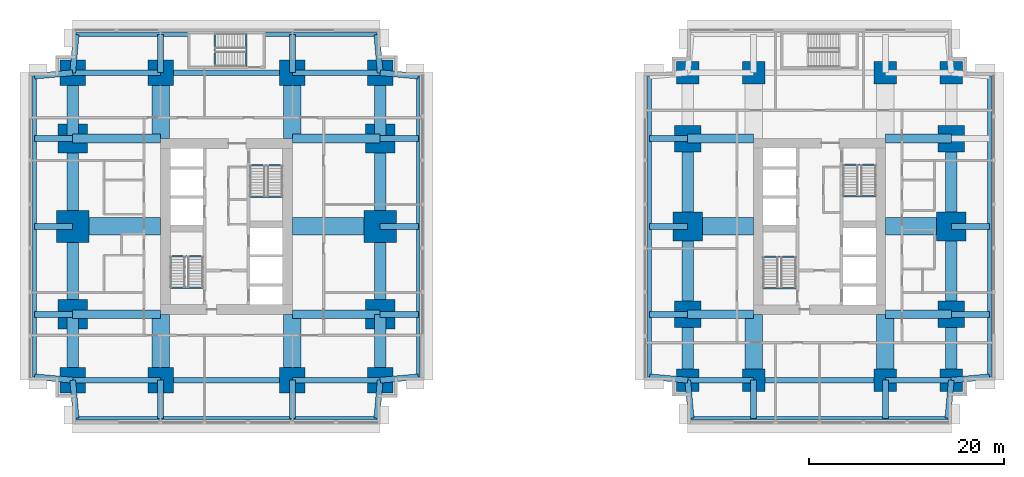
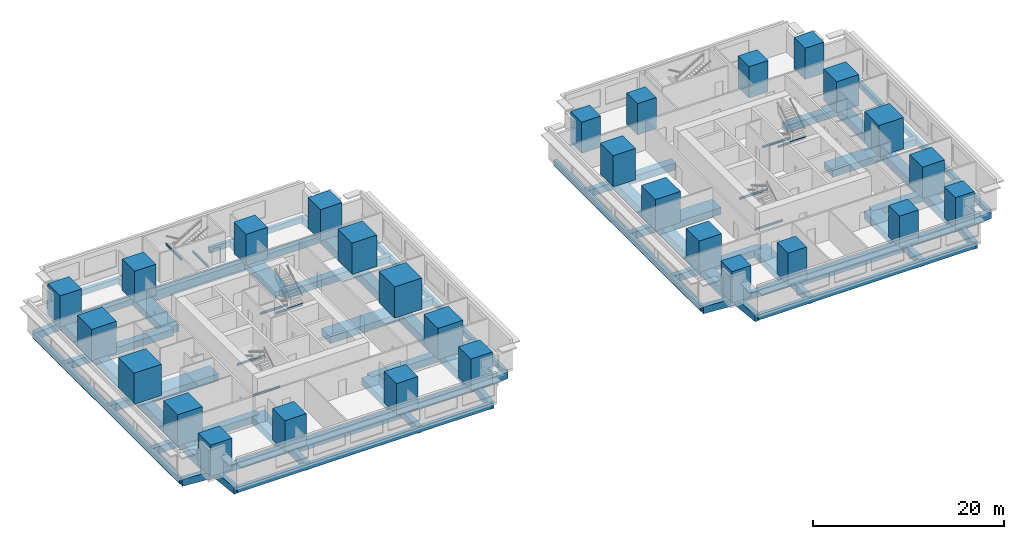
# One storey, part 1 of 11: 88 beams, 28 columns.
"""IFC4 building model written with IfcOpenShell, lengths in metres."""

import ifcopenshell
import ifcopenshell.guid

model = None  # the IFC model being written
_history = None  # IfcOwnerHistory: only IFC2X3 demands one
_inside = {}  # id of a spatial element -> (the spatial element, [elements in it])
_under = {}  # id of a project, library or spatial element -> (it, [spatial elements below it])
_declared = {}  # id of a project -> (the project, [libraries it declares])
_typed = {}  # id of a type object -> (the type object, [elements of that type])
_made_of = {}  # id of a material, layer set ... -> (it, [elements and type objects made of it])


def new_model(schema):
    """Start an empty IFC model of exactly this schema.

    Asked for "IFC4X3", IfcOpenShell would pick the latest addendum, in which some entities
    have other attributes; the version numbers below select the first issue.
    IFC2X3 requires an IfcOwnerHistory on every rooted entity: one is made here for all.
    """
    global model, _history
    if schema == "IFC4X3":
        model = ifcopenshell.file(schema_version=(4, 3, 0, 0))
    else:
        model = ifcopenshell.file(schema=schema)
    _inside.clear()
    _under.clear()
    _declared.clear()
    _typed.clear()
    _made_of.clear()
    _history = None
    if model.schema == "IFC2X3":
        org = make("IfcOrganization", Name="unknown")
        user = make(
            "IfcPersonAndOrganization",
            ThePerson=make("IfcPerson", FamilyName="unknown"),
            TheOrganization=org,
        )
        app = make(
            "IfcApplication",
            ApplicationDeveloper=org,
            Version="unknown",
            ApplicationFullName="unknown",
            ApplicationIdentifier="unknown",
        )
        _history = make(
            "IfcOwnerHistory",
            OwningUser=user,
            OwningApplication=app,
            ChangeAction="ADDED",
            CreationDate=0,
        )
    return model


def make(cls, **values):
    """One entity of the class cls with the attributes given. An attribute that is None is left unset."""
    return model.create_entity(
        cls, **{name: value for name, value in values.items() if value is not None}
    )


def rooted(cls, **values):
    """An entity with a GlobalId (a new one), such as an element, a storey or a relation."""
    return make(cls, GlobalId=ifcopenshell.guid.new(), OwnerHistory=_history, **values)


def si_unit(unit_type, name, prefix=None):
    """IfcSIUnit, for example si_unit("LENGTHUNIT", "METRE", prefix="MILLI")."""
    return make("IfcSIUnit", UnitType=unit_type, Prefix=prefix, Name=name)


def assignment(units):
    """IfcUnitAssignment: the units of a project."""
    return None if units is None else make("IfcUnitAssignment", Units=units)


def point(xyz):
    """IfcCartesianPoint."""
    return None if xyz is None else make("IfcCartesianPoint", Coordinates=xyz)


def direction(xyz):
    """IfcDirection."""
    return None if xyz is None else make("IfcDirection", DirectionRatios=xyz)


def frame(location, z_axis=None, x_axis=None):
    """IfcAxis2Placement3D, a coordinate frame: its origin and axes. An axis left out is left unset."""
    return make(
        "IfcAxis2Placement3D",
        Location=point(location),
        Axis=direction(z_axis),
        RefDirection=direction(x_axis),
    )


def frame_2d(location, x_axis=None):
    """IfcAxis2Placement2D, a coordinate frame in the plane: its origin and x axis."""
    return make(
        "IfcAxis2Placement2D", Location=point(location), RefDirection=direction(x_axis)
    )


def origin():
    """The frame at (0, 0, 0) with its axes left unset."""
    return frame((0.0, 0.0, 0.0))


def origin_2d():
    """The frame at (0, 0) in the plane with its x axis left unset."""
    return frame_2d((0.0, 0.0))


def place(relative_to, where):
    """IfcLocalPlacement: puts the frame where relative to a parent placement (None: the world)."""
    return make(
        "IfcLocalPlacement", PlacementRelTo=relative_to, RelativePlacement=where
    )


def context(
    kind, dimensions, precision=None, world=None, true_north=None, identifier=None
):
    """IfcGeometricRepresentationContext, for example the 3D "Model" context."""
    return make(
        "IfcGeometricRepresentationContext",
        ContextIdentifier=identifier,
        ContextType=kind,
        CoordinateSpaceDimension=dimensions,
        Precision=precision,
        WorldCoordinateSystem=world,
        TrueNorth=true_north,
    )


def subcontext(parent, identifier, kind, view, scale=None):
    """IfcGeometricRepresentationSubContext, for example "Body" below "Model"."""
    return make(
        "IfcGeometricRepresentationSubContext",
        ContextIdentifier=identifier,
        ContextType=kind,
        ParentContext=parent,
        TargetScale=scale,
        TargetView=view,
    )


def project(units=None, contexts=None):
    """IfcProject with its units and contexts."""
    return rooted(
        "IfcProject",
        Name="project",
        RepresentationContexts=contexts,
        UnitsInContext=assignment(units),
    )


def spatial(cls, under=None, at=None, **own):
    """A site, building, storey or space (cls), placed at a placement, below another one or the project."""
    s = rooted(cls, ObjectPlacement=at, **own)
    if under is not None:
        _under.setdefault(under.id(), (under, []))[1].append(s)
    return s


def profile(cls, at=None, kind="AREA", **sizes):
    """A parametric profile (cls). Its sizes go by their IFC names, for example OverallWidth=200.0."""
    return make(cls, ProfileType=kind, Position=at, **sizes)


def rectangle(**sizes):
    """IfcRectangleProfileDef."""
    return profile("IfcRectangleProfileDef", **sizes)


def i_section(**sizes):
    """IfcIShapeProfileDef."""
    return profile("IfcIShapeProfileDef", **sizes)


def extrude(swept, where, along, depth):
    """IfcExtrudedAreaSolid: the profile swept, set in the frame where, extruded along a direction by depth."""
    return make(
        "IfcExtrudedAreaSolid",
        SweptArea=swept,
        Position=where,
        ExtrudedDirection=direction(along),
        Depth=depth,
    )


def shape(context_of_items, identifier, shape_type, items):
    """IfcShapeRepresentation: the items that make up one representation, for example the "Body"."""
    return make(
        "IfcShapeRepresentation",
        ContextOfItems=context_of_items,
        RepresentationIdentifier=identifier,
        RepresentationType=shape_type,
        Items=items,
    )


def material(Name=None, Category=None):
    """IfcMaterial."""
    return make("IfcMaterial", Name=Name, Category=Category)


def material_profile(
    of_material, cross_section, Name=None, Category=None, Priority=None
):
    """IfcMaterialProfile: a cross section and its material."""
    return make(
        "IfcMaterialProfile",
        Name=Name,
        Material=of_material,
        Profile=cross_section,
        Priority=Priority,
        Category=Category,
    )


def profile_set(profiles, Name=None, composite=None):
    """IfcMaterialProfileSet."""
    return make(
        "IfcMaterialProfileSet",
        Name=Name,
        MaterialProfiles=profiles,
        CompositeProfile=composite,
    )


def made_of(thing, what):
    """Note that an element or type object is made of a material, layer set ...; save() writes the relation."""
    if what is not None:
        _made_of.setdefault(what.id(), (what, []))[1].append(thing)
    return thing


def type_object(cls, material=None, **own):
    """A type object (cls), such as IfcWallType, which elements share."""
    return made_of(rooted(cls, **own), material)


def element(
    cls,
    number,
    at=None,
    inside=None,
    cuts=None,
    type_object=None,
    material=None,
    context=None,
    identifier="Body",
    shape_type=None,
    held_by="IfcProductDefinitionShape",
    body=None,
    shapes=None,
    **own,
):
    """One element of the class cls, such as IfcWall. Its Tag is "e" and its number.

    at: its placement. inside: the storey or other place that contains it. cuts: it is an
    opening in that element (IfcRelVoidsElement). A single representation is given by context,
    identifier, shape_type and body (its items); several are given by shapes. held_by: the class
    of the entity that holds the representations. save() writes the other relations.
    """
    e = rooted(cls, Tag="e%d" % number, ObjectPlacement=at, **own)
    if body is not None:
        shapes = [shape(context, identifier, shape_type, body)]
    if shapes is not None:
        e.Representation = make(held_by, Representations=shapes)
    if inside is not None:
        _inside.setdefault(inside.id(), (inside, []))[1].append(e)
    if cuts is not None:
        rooted(
            "IfcRelVoidsElement", RelatingBuildingElement=cuts, RelatedOpeningElement=e
        )
    if type_object is not None:
        _typed.setdefault(type_object.id(), (type_object, []))[1].append(e)
    return made_of(e, material)


def aggregate(whole, parts):
    """IfcRelAggregates: a whole, such as a stair, and the parts it consists of."""
    return rooted("IfcRelAggregates", RelatingObject=whole, RelatedObjects=parts)


def save(model, path):
    """Write the relations noted so far, then the file.

    IfcRelAggregates (storeys below a building ...), IfcRelContainedInSpatialStructure (elements
    in a storey), IfcRelDefinesByType, IfcRelAssociatesMaterial and IfcRelDeclares: one each for
    every whole, place, type object, material and project.
    """
    for whole, parts in _under.values():
        aggregate(whole, parts)
    for where, things in _inside.values():
        rooted(
            "IfcRelContainedInSpatialStructure",
            RelatedElements=things,
            RelatingStructure=where,
        )
    for kind, things in _typed.values():
        rooted("IfcRelDefinesByType", RelatedObjects=things, RelatingType=kind)
    for what, things in _made_of.values():
        rooted("IfcRelAssociatesMaterial", RelatedObjects=things, RelatingMaterial=what)
    for by, libraries in _declared.values():
        rooted("IfcRelDeclares", RelatingContext=by, RelatedDefinitions=libraries)
    model.write(path)


model = new_model("IFC4")

# Units and contexts
model_context = context("Model", 3, precision=1e-05, world=origin(), true_north=direction((0.0, 1.0)))
body_context = subcontext(model_context, "Body", "Model", "MODEL_VIEW")
ifc_project = project(units=[si_unit("LENGTHUNIT", "METRE"), si_unit("AREAUNIT", "SQUARE_METRE"), si_unit("VOLUMEUNIT", "CUBIC_METRE"), si_unit("PLANEANGLEUNIT", "RADIAN"), si_unit("MASSUNIT", "GRAM", prefix="KILO")], contexts=[model_context])

# Site, building, storey
site_placement = place(None, origin())
site = spatial("IfcSite", under=ifc_project, at=site_placement, CompositionType="ELEMENT")
building_placement = place(site_placement, origin())
building = spatial("IfcBuilding", under=site, at=building_placement, Name="Namib Vertical Campus", CompositionType="ELEMENT")
storey_placement = place(building_placement, frame((0.0, 0.0, 37.0)))
storey = spatial("IfcBuildingStorey", under=building, at=storey_placement, Name="L08", CompositionType="ELEMENT", Elevation=37.0)

# Columns
ifc_material_1 = material(Name="Concrete C60/75", Category="concrete")
ifc_material_profile_1 = material_profile(ifc_material_1, rectangle(XDim=2.300048828125, YDim=2.300048828125, at=origin_2d()))
ifc_profile_set_1 = profile_set([ifc_material_profile_1], Name="Concrete C60/75")
column_type_1 = type_object("IfcColumnType", Name="Column RC 2300x2300", PredefinedType="COLUMN", material=ifc_profile_set_1)
for number, where, z_axis, x_axis, name in (
    (1, (67.5, 4.5, 0.0), (0.0, 0.0, 1.0), (1.0, 0.0, 0.0), "Column C230 L08"),
    (2, (74.25, 4.5, 0.0), (0.0, 0.0, 1.0), (1.0, 0.0, 0.0), "Column C230 L08"),
    (3, (87.75, 4.5, 0.0), (0.0, 0.0, 1.0), (1.0, 0.0, 0.0), "Column C230 L08"),
    (4, (94.5, 4.5, 0.0), (0.0, 0.0, 1.0), (1.0, 0.0, 0.0), "Column C230 L08"),
    (5, (67.5, 36.0, 0.0), (0.0, 0.0, 1.0), (1.0, 0.0, 0.0), "Column C230 L08"),
    (6, (74.25, 36.0, 0.0), (0.0, 0.0, 1.0), (1.0, 0.0, 0.0), "Column C230 L08"),
    (7, (87.75, 36.0, 0.0), (0.0, 0.0, 1.0), (1.0, 0.0, 0.0), "Column C230 L08"),
    (8, (94.5, 36.0, 0.0), (0.0, 0.0, 1.0), (1.0, 0.0, 0.0), "Column C230 L08"),
):
    element("IfcColumn", number, at=place(storey_placement, frame(where, z_axis=z_axis, x_axis=x_axis)), inside=storey, type_object=column_type_1, Name=name, PredefinedType="COLUMN", context=body_context, shape_type="SweptSolid", body=[
        extrude(rectangle(XDim=2.300048828125, YDim=2.300048828125, at=origin_2d()), origin(), (0.0, 0.0, 1.0), 4.0),
    ])
ifc_material_2 = material(Name="Concrete C60/75", Category="concrete")
ifc_material_profile_2 = material_profile(ifc_material_2, rectangle(XDim=2.60009765625, YDim=2.60009765625, at=origin_2d()))
ifc_profile_set_2 = profile_set([ifc_material_profile_2], Name="Concrete C60/75")
column_type_2 = type_object("IfcColumnType", Name="Column RC 2600x2600", PredefinedType="COLUMN", material=ifc_profile_set_2)
for number, where, z_axis, x_axis, name in (
    (9, (4.5, 4.5, 0.0), (0.0, 0.0, 1.0), (1.0, 0.0, 0.0), "Column C260 L08"),
    (10, (13.5, 4.5, 0.0), (0.0, 0.0, 1.0), (1.0, 0.0, 0.0), "Column C260 L08"),
    (11, (27.0, 4.5, 0.0), (0.0, 0.0, 1.0), (1.0, 0.0, 0.0), "Column C260 L08"),
    (12, (36.0, 4.5, 0.0), (0.0, 0.0, 1.0), (1.0, 0.0, 0.0), "Column C260 L08"),
    (13, (4.5, 36.0, 0.0), (0.0, 0.0, 1.0), (1.0, 0.0, 0.0), "Column C260 L08"),
    (14, (13.5, 36.0, 0.0), (0.0, 0.0, 1.0), (1.0, 0.0, 0.0), "Column C260 L08"),
    (15, (27.0, 36.0, 0.0), (0.0, 0.0, 1.0), (1.0, 0.0, 0.0), "Column C260 L08"),
    (16, (36.0, 36.0, 0.0), (0.0, 0.0, 1.0), (1.0, 0.0, 0.0), "Column C260 L08"),
):
    element("IfcColumn", number, at=place(storey_placement, frame(where, z_axis=z_axis, x_axis=x_axis)), inside=storey, type_object=column_type_2, Name=name, PredefinedType="COLUMN", context=body_context, shape_type="SweptSolid", body=[
        extrude(rectangle(XDim=2.60009765625, YDim=2.60009765625, at=origin_2d()), origin(), (0.0, 0.0, 1.0), 4.0),
    ])
ifc_material_3 = material(Name="Concrete C60/75", Category="concrete")
ifc_material_profile_3 = material_profile(ifc_material_3, rectangle(XDim=2.699951171875, YDim=2.699951171875, at=origin_2d()))
ifc_profile_set_3 = profile_set([ifc_material_profile_3], Name="Concrete C60/75")
column_type_3 = type_object("IfcColumnType", Name="Column RC 2700x2700", PredefinedType="COLUMN", material=ifc_profile_set_3)
for number, where, z_axis, x_axis, name in (
    (17, (67.5, 11.25, 0.0), (0.0, 0.0, 1.0), (1.0, 0.0, 0.0), "Column C270 L08"),
    (18, (94.5, 11.25, 0.0), (0.0, 0.0, 1.0), (1.0, 0.0, 0.0), "Column C270 L08"),
    (19, (67.5, 29.25, 0.0), (0.0, 0.0, 1.0), (1.0, 0.0, 0.0), "Column C270 L08"),
    (20, (94.5, 29.25, 0.0), (0.0, 0.0, 1.0), (1.0, 0.0, 0.0), "Column C270 L08"),
):
    element("IfcColumn", number, at=place(storey_placement, frame(where, z_axis=z_axis, x_axis=x_axis)), inside=storey, type_object=column_type_3, Name=name, PredefinedType="COLUMN", context=body_context, shape_type="SweptSolid", body=[
        extrude(rectangle(XDim=2.699951171875, YDim=2.699951171875, at=origin_2d()), origin(), (0.0, 0.0, 1.0), 4.0),
    ])
ifc_material_4 = material(Name="Concrete C60/75", Category="concrete")
ifc_material_profile_4 = material_profile(ifc_material_4, rectangle(XDim=3.0, YDim=3.0, at=origin_2d()))
ifc_profile_set_4 = profile_set([ifc_material_profile_4], Name="Concrete C60/75")
column_type_4 = type_object("IfcColumnType", Name="Column RC 3000x3000", PredefinedType="COLUMN", material=ifc_profile_set_4)
for number, where, z_axis, x_axis, name in (
    (21, (4.5, 11.25, 0.0), (0.0, 0.0, 1.0), (1.0, 0.0, 0.0), "Column C300 L08"),
    (22, (36.0, 11.25, 0.0), (0.0, 0.0, 1.0), (1.0, 0.0, 0.0), "Column C300 L08"),
    (23, (4.5, 29.25, 0.0), (0.0, 0.0, 1.0), (1.0, 0.0, 0.0), "Column C300 L08"),
    (24, (36.0, 29.25, 0.0), (0.0, 0.0, 1.0), (1.0, 0.0, 0.0), "Column C300 L08"),
    (25, (67.5, 20.25, 0.0), (0.0, 0.0, 1.0), (1.0, 0.0, 0.0), "Column C300 L08"),
    (26, (94.5, 20.25, 0.0), (0.0, 0.0, 1.0), (1.0, 0.0, 0.0), "Column C300 L08"),
):
    element("IfcColumn", number, at=place(storey_placement, frame(where, z_axis=z_axis, x_axis=x_axis)), inside=storey, type_object=column_type_4, Name=name, PredefinedType="COLUMN", context=body_context, shape_type="SweptSolid", body=[
        extrude(rectangle(XDim=3.0, YDim=3.0, at=origin_2d()), origin(), (0.0, 0.0, 1.0), 4.0),
    ])
ifc_material_5 = material(Name="Concrete C60/75", Category="concrete")
ifc_material_profile_5 = material_profile(ifc_material_5, rectangle(XDim=3.300048828125, YDim=3.300048828125, at=origin_2d()))
ifc_profile_set_5 = profile_set([ifc_material_profile_5], Name="Concrete C60/75")
column_type_5 = type_object("IfcColumnType", Name="Column RC 3300x3300", PredefinedType="COLUMN", material=ifc_profile_set_5)
for number, where, z_axis, x_axis, name in (
    (27, (4.5, 20.25, 0.0), (0.0, 0.0, 1.0), (1.0, 0.0, 0.0), "Column C330 L08"),
    (28, (36.0, 20.25, 0.0), (0.0, 0.0, 1.0), (1.0, 0.0, 0.0), "Column C330 L08"),
):
    element("IfcColumn", number, at=place(storey_placement, frame(where, z_axis=z_axis, x_axis=x_axis)), inside=storey, type_object=column_type_5, Name=name, PredefinedType="COLUMN", context=body_context, shape_type="SweptSolid", body=[
        extrude(rectangle(XDim=3.300048828125, YDim=3.300048828125, at=origin_2d()), origin(), (0.0, 0.0, 1.0), 4.0),
    ])

# Beams
ifc_material_6 = material(Name="Concrete C40/50", Category="concrete")
ifc_material_profile_6 = material_profile(ifc_material_6, rectangle(XDim=0.60009765625, YDim=0.89990234375, at=origin_2d()))
ifc_profile_set_6 = profile_set([ifc_material_profile_6], Name="Concrete C40/50")
beam_type_1 = type_object("IfcBeamType", Name="Cantilever girder RC 600x900", PredefinedType="BEAM", material=ifc_profile_set_6)
beam_1_placement = place(storey_placement, frame((4.5, 4.5, -0.699951171875), z_axis=(0.089411326146, -0.995994786511, 0.0), x_axis=(0.995994786511, 0.089411326146, 0.0)))
element("IfcBeam", 29, at=beam_1_placement, inside=storey, type_object=beam_type_1, Name="Beam B3 L08", PredefinedType="BEAM", context=body_context, shape_type="SweptSolid", body=[
    extrude(rectangle(XDim=0.60009765625, YDim=0.89990234375, at=origin_2d()), origin(), (0.0, 0.0, 1.0), 3.91552734375),
])
for number, where, z_axis, x_axis, name in (
    (30, (13.5, 4.5, -0.699951171875), (0.0, -1.0, 0.0), (1.0, 0.0, 0.0), "Beam B3 L08"),
    (31, (27.0, 4.5, -0.699951171875), (0.0, -1.0, 0.0), (1.0, 0.0, 0.0), "Beam B3 L08"),
):
    element("IfcBeam", number, at=place(storey_placement, frame(where, z_axis=z_axis, x_axis=x_axis)), inside=storey, type_object=beam_type_1, Name=name, PredefinedType="BEAM", context=body_context, shape_type="SweptSolid", body=[
        extrude(rectangle(XDim=0.60009765625, YDim=0.89990234375, at=origin_2d()), origin(), (0.0, 0.0, 1.0), 3.89990234375),
    ])
for number, where, z_axis, x_axis, name in (
    (32, (36.0, 4.5, -0.699951171875), (-0.089411326146, -0.995994786511, 0.0), (0.995994786511, -0.089411326146, 0.0), "Beam B3 L08"),
    (33, (4.5, 36.0, -0.699951171875), (0.089411326146, 0.995994786511, 0.0), (-0.995994786511, 0.089411326146, 0.0), "Beam B3 L08"),
):
    element("IfcBeam", number, at=place(storey_placement, frame(where, z_axis=z_axis, x_axis=x_axis)), inside=storey, type_object=beam_type_1, Name=name, PredefinedType="BEAM", context=body_context, shape_type="SweptSolid", body=[
        extrude(rectangle(XDim=0.60009765625, YDim=0.89990234375, at=origin_2d()), origin(), (0.0, 0.0, 1.0), 3.91552734375),
    ])
for number, where, z_axis, x_axis, name in (
    (34, (13.5, 36.0, -0.699951171875), (0.0, 1.0, 0.0), (-1.0, 0.0, 0.0), "Beam B3 L08"),
    (35, (27.0, 36.0, -0.699951171875), (0.0, 1.0, 0.0), (-1.0, 0.0, 0.0), "Beam B3 L08"),
):
    element("IfcBeam", number, at=place(storey_placement, frame(where, z_axis=z_axis, x_axis=x_axis)), inside=storey, type_object=beam_type_1, Name=name, PredefinedType="BEAM", context=body_context, shape_type="SweptSolid", body=[
        extrude(rectangle(XDim=0.60009765625, YDim=0.89990234375, at=origin_2d()), origin(), (0.0, 0.0, 1.0), 3.89990234375),
    ])
for number, where, z_axis, x_axis, name in (
    (36, (36.0, 36.0, -0.699951171875), (-0.089411326146, 0.995994786511, 0.0), (-0.995994786511, -0.089411326146, 0.0), "Beam B3 L08"),
    (37, (4.5, 4.5, -0.699951171875), (-0.995994786511, 0.089411326146, 0.0), (-0.089411326146, -0.995994786511, 0.0), "Beam B3 L08"),
):
    element("IfcBeam", number, at=place(storey_placement, frame(where, z_axis=z_axis, x_axis=x_axis)), inside=storey, type_object=beam_type_1, Name=name, PredefinedType="BEAM", context=body_context, shape_type="SweptSolid", body=[
        extrude(rectangle(XDim=0.60009765625, YDim=0.89990234375, at=origin_2d()), origin(), (0.0, 0.0, 1.0), 3.91552734375),
    ])
for number, where, z_axis, x_axis, name in (
    (38, (4.5, 11.25, -0.699951171875), (-1.0, 0.0, 0.0), (0.0, -1.0, 0.0), "Beam B3 L08"),
    (39, (4.5, 20.25, -0.699951171875), (-1.0, 0.0, 0.0), (0.0, -1.0, 0.0), "Beam B3 L08"),
    (40, (4.5, 29.25, -0.699951171875), (-1.0, 0.0, 0.0), (0.0, -1.0, 0.0), "Beam B3 L08"),
):
    element("IfcBeam", number, at=place(storey_placement, frame(where, z_axis=z_axis, x_axis=x_axis)), inside=storey, type_object=beam_type_1, Name=name, PredefinedType="BEAM", context=body_context, shape_type="SweptSolid", body=[
        extrude(rectangle(XDim=0.60009765625, YDim=0.89990234375, at=origin_2d()), origin(), (0.0, 0.0, 1.0), 3.89990234375),
    ])
for number, where, z_axis, x_axis, name in (
    (41, (4.5, 36.0, -0.699951171875), (-0.995994786511, -0.089411326146, 0.0), (0.089411326146, -0.995994786511, 0.0), "Beam B3 L08"),
    (42, (36.0, 4.5, -0.699951171875), (0.995994786511, 0.089411326146, 0.0), (-0.089411326146, 0.995994786511, 0.0), "Beam B3 L08"),
):
    element("IfcBeam", number, at=place(storey_placement, frame(where, z_axis=z_axis, x_axis=x_axis)), inside=storey, type_object=beam_type_1, Name=name, PredefinedType="BEAM", context=body_context, shape_type="SweptSolid", body=[
        extrude(rectangle(XDim=0.60009765625, YDim=0.89990234375, at=origin_2d()), origin(), (0.0, 0.0, 1.0), 3.91552734375),
    ])
for number, where, z_axis, x_axis, name in (
    (43, (36.0, 11.25, -0.699951171875), (1.0, 0.0, 0.0), (0.0, 1.0, 0.0), "Beam B3 L08"),
    (44, (36.0, 20.25, -0.699951171875), (1.0, 0.0, 0.0), (0.0, 1.0, 0.0), "Beam B3 L08"),
    (45, (36.0, 29.25, -0.699951171875), (1.0, 0.0, 0.0), (0.0, 1.0, 0.0), "Beam B3 L08"),
):
    element("IfcBeam", number, at=place(storey_placement, frame(where, z_axis=z_axis, x_axis=x_axis)), inside=storey, type_object=beam_type_1, Name=name, PredefinedType="BEAM", context=body_context, shape_type="SweptSolid", body=[
        extrude(rectangle(XDim=0.60009765625, YDim=0.89990234375, at=origin_2d()), origin(), (0.0, 0.0, 1.0), 3.89990234375),
    ])
for number, where, z_axis, x_axis, name in (
    (46, (36.0, 36.0, -0.699951171875), (0.995994786511, -0.089411326146, 0.0), (0.089411326146, 0.995994786511, 0.0), "Beam B3 L08"),
    (47, (67.5, 4.5, -0.699951171875), (0.089411326146, -0.995994786511, 0.0), (0.995994786511, 0.089411326146, 0.0), "Beam B3 L08"),
):
    element("IfcBeam", number, at=place(storey_placement, frame(where, z_axis=z_axis, x_axis=x_axis)), inside=storey, type_object=beam_type_1, Name=name, PredefinedType="BEAM", context=body_context, shape_type="SweptSolid", body=[
        extrude(rectangle(XDim=0.60009765625, YDim=0.89990234375, at=origin_2d()), origin(), (0.0, 0.0, 1.0), 3.91552734375),
    ])
for number, where, z_axis, x_axis, name in (
    (48, (74.25, 4.5, -0.699951171875), (0.0, -1.0, 0.0), (1.0, 0.0, 0.0), "Beam B3 L08"),
    (49, (87.75, 4.5, -0.699951171875), (0.0, -1.0, 0.0), (1.0, 0.0, 0.0), "Beam B3 L08"),
):
    element("IfcBeam", number, at=place(storey_placement, frame(where, z_axis=z_axis, x_axis=x_axis)), inside=storey, type_object=beam_type_1, Name=name, PredefinedType="BEAM", context=body_context, shape_type="SweptSolid", body=[
        extrude(rectangle(XDim=0.60009765625, YDim=0.89990234375, at=origin_2d()), origin(), (0.0, 0.0, 1.0), 3.89990234375),
    ])
for number, where, z_axis, x_axis, name in (
    (50, (94.5, 4.5, -0.699951171875), (-0.089411326146, -0.995994786511, 0.0), (0.995994786511, -0.089411326146, 0.0), "Beam B3 L08"),
    (51, (67.5, 4.5, -0.699951171875), (-0.995994786511, 0.089411326146, 0.0), (-0.089411326146, -0.995994786511, 0.0), "Beam B3 L08"),
):
    element("IfcBeam", number, at=place(storey_placement, frame(where, z_axis=z_axis, x_axis=x_axis)), inside=storey, type_object=beam_type_1, Name=name, PredefinedType="BEAM", context=body_context, shape_type="SweptSolid", body=[
        extrude(rectangle(XDim=0.60009765625, YDim=0.89990234375, at=origin_2d()), origin(), (0.0, 0.0, 1.0), 3.91552734375),
    ])
for number, where, z_axis, x_axis, name in (
    (52, (67.5, 11.25, -0.699951171875), (-1.0, 0.0, 0.0), (0.0, -1.0, 0.0), "Beam B3 L08"),
    (53, (67.5, 20.25, -0.699951171875), (-1.0, 0.0, 0.0), (0.0, -1.0, 0.0), "Beam B3 L08"),
    (54, (67.5, 29.25, -0.699951171875), (-1.0, 0.0, 0.0), (0.0, -1.0, 0.0), "Beam B3 L08"),
):
    element("IfcBeam", number, at=place(storey_placement, frame(where, z_axis=z_axis, x_axis=x_axis)), inside=storey, type_object=beam_type_1, Name=name, PredefinedType="BEAM", context=body_context, shape_type="SweptSolid", body=[
        extrude(rectangle(XDim=0.60009765625, YDim=0.89990234375, at=origin_2d()), origin(), (0.0, 0.0, 1.0), 3.89990234375),
    ])
beam_2_placement = place(storey_placement, frame((94.5, 4.5, -0.699951171875), z_axis=(0.995994786511, 0.089411326146, 0.0), x_axis=(-0.089411326146, 0.995994786511, 0.0)))
element("IfcBeam", 55, at=beam_2_placement, inside=storey, type_object=beam_type_1, Name="Beam B3 L08", PredefinedType="BEAM", context=body_context, shape_type="SweptSolid", body=[
    extrude(rectangle(XDim=0.60009765625, YDim=0.89990234375, at=origin_2d()), origin(), (0.0, 0.0, 1.0), 3.91552734375),
])
for number, where, z_axis, x_axis, name in (
    (56, (94.5, 11.25, -0.699951171875), (1.0, 0.0, 0.0), (0.0, 1.0, 0.0), "Beam B3 L08"),
    (57, (94.5, 20.25, -0.699951171875), (1.0, 0.0, 0.0), (0.0, 1.0, 0.0), "Beam B3 L08"),
):
    element("IfcBeam", number, at=place(storey_placement, frame(where, z_axis=z_axis, x_axis=x_axis)), inside=storey, type_object=beam_type_1, Name=name, PredefinedType="BEAM", context=body_context, shape_type="SweptSolid", body=[
        extrude(rectangle(XDim=0.60009765625, YDim=0.89990234375, at=origin_2d()), origin(), (0.0, 0.0, 1.0), 3.89990234375),
    ])
ifc_material_7 = material(Name="Concrete C40/50", Category="concrete")
ifc_material_profile_7 = material_profile(ifc_material_7, rectangle(XDim=0.39990234375, YDim=0.699951171875, at=origin_2d()))
ifc_profile_set_7 = profile_set([ifc_material_profile_7], Name="Concrete C40/50")
beam_type_2 = type_object("IfcBeamType", Name="Edge beam RC 400x700", PredefinedType="SPANDREL", material=ifc_profile_set_7)
beam_3_placement = place(storey_placement, frame((4.85009765625, 0.60009765625, -0.60009765625), z_axis=(1.0, 0.0, 0.0), x_axis=(0.0, 1.0, 0.0)))
element("IfcBeam", 58, at=beam_3_placement, inside=storey, type_object=beam_type_2, Name="Beam B4 L08", PredefinedType="SPANDREL", context=body_context, shape_type="SweptSolid", body=[
    extrude(rectangle(XDim=0.39990234375, YDim=0.699951171875, at=origin_2d()), origin(), (0.0, 0.0, 1.0), 30.7998046875),
])
for number, where, z_axis, x_axis, name in (
    (59, (4.85009765625, 39.89990234375, -0.60009765625), (1.0, 0.0, 0.0), (0.0, 1.0, 0.0), "Beam B4 L08"),
    (60, (24.199951171875, 39.89990234375, -0.60009765625), (1.0, 0.0, 0.0), (0.0, 1.0, 0.0), "Beam B4 L08"),
):
    element("IfcBeam", number, at=place(storey_placement, frame(where, z_axis=z_axis, x_axis=x_axis)), inside=storey, type_object=beam_type_2, Name=name, PredefinedType="SPANDREL", context=body_context, shape_type="SweptSolid", body=[
        extrude(rectangle(XDim=0.39990234375, YDim=0.699951171875, at=origin_2d()), origin(), (0.0, 0.0, 1.0), 11.449951171875),
    ])
for number, where, z_axis, x_axis, name in (
    (61, (0.60009765625, 4.85009765625, -0.60009765625), (0.0, 1.0, 0.0), (-1.0, 0.0, 0.0), "Beam B4 L08"),
    (62, (39.89990234375, 4.85009765625, -0.60009765625), (0.0, 1.0, 0.0), (-1.0, 0.0, 0.0), "Beam B4 L08"),
):
    element("IfcBeam", number, at=place(storey_placement, frame(where, z_axis=z_axis, x_axis=x_axis)), inside=storey, type_object=beam_type_2, Name=name, PredefinedType="SPANDREL", context=body_context, shape_type="SweptSolid", body=[
        extrude(rectangle(XDim=0.39990234375, YDim=0.699951171875, at=origin_2d()), origin(), (0.0, 0.0, 1.0), 30.7998046875),
    ])
beam_4_placement = place(storey_placement, frame((67.85009765625, 0.60009765625, -0.60009765625), z_axis=(1.0, 0.0, 0.0), x_axis=(0.0, 1.0, 0.0)))
element("IfcBeam", 63, at=beam_4_placement, inside=storey, type_object=beam_type_2, Name="Beam B4 L08", PredefinedType="SPANDREL", context=body_context, shape_type="SweptSolid", body=[
    extrude(rectangle(XDim=0.39990234375, YDim=0.699951171875, at=origin_2d()), origin(), (0.0, 0.0, 1.0), 26.2998046875),
])
for number, where, z_axis, x_axis, name in (
    (64, (63.60009765625, 4.85009765625, -0.60009765625), (0.0, 1.0, 0.0), (-1.0, 0.0, 0.0), "Beam B4 L08"),
    (65, (98.39990234375, 4.85009765625, -0.60009765625), (0.0, 1.0, 0.0), (-1.0, 0.0, 0.0), "Beam B4 L08"),
):
    element("IfcBeam", number, at=place(storey_placement, frame(where, z_axis=z_axis, x_axis=x_axis)), inside=storey, type_object=beam_type_2, Name=name, PredefinedType="SPANDREL", context=body_context, shape_type="SweptSolid", body=[
        extrude(rectangle(XDim=0.39990234375, YDim=0.699951171875, at=origin_2d()), origin(), (0.0, 0.0, 1.0), 30.7998046875),
    ])
ifc_material_8 = material(Name="Concrete C40/50", Category="concrete")
ifc_material_profile_8 = material_profile(ifc_material_8, rectangle(XDim=0.89990234375, YDim=0.89990234375, at=origin_2d()))
ifc_profile_set_8 = profile_set([ifc_material_profile_8], Name="Concrete C40/50")
beam_type_3 = type_object("IfcBeamType", Name="Face girder RC 900x900", PredefinedType="BEAM", material=ifc_profile_set_8)
for number, where, z_axis, x_axis, name in (
    (66, (4.5, 11.25, -0.699951171875), (1.0, 0.0, 0.0), (0.0, 1.0, 0.0), "Beam B10 L08"),
    (67, (36.0, 11.25, -0.699951171875), (-1.0, 0.0, 0.0), (0.0, -1.0, 0.0), "Beam B10 L08"),
    (68, (4.5, 29.25, -0.699951171875), (1.0, 0.0, 0.0), (0.0, 1.0, 0.0), "Beam B10 L08"),
    (69, (36.0, 29.25, -0.699951171875), (-1.0, 0.0, 0.0), (0.0, -1.0, 0.0), "Beam B10 L08"),
):
    element("IfcBeam", number, at=place(storey_placement, frame(where, z_axis=z_axis, x_axis=x_axis)), inside=storey, type_object=beam_type_3, Name=name, PredefinedType="BEAM", context=body_context, shape_type="SweptSolid", body=[
        extrude(rectangle(XDim=0.89990234375, YDim=0.89990234375, at=origin_2d()), origin(), (0.0, 0.0, 1.0), 9.0),
    ])
for number, where, z_axis, x_axis, name in (
    (70, (67.5, 11.25, -0.699951171875), (1.0, 0.0, 0.0), (0.0, 1.0, 0.0), "Beam B10 L08"),
    (71, (94.5, 11.25, -0.699951171875), (-1.0, 0.0, 0.0), (0.0, -1.0, 0.0), "Beam B10 L08"),
    (72, (67.5, 29.25, -0.699951171875), (1.0, 0.0, 0.0), (0.0, 1.0, 0.0), "Beam B10 L08"),
    (73, (94.5, 29.25, -0.699951171875), (-1.0, 0.0, 0.0), (0.0, -1.0, 0.0), "Beam B10 L08"),
):
    element("IfcBeam", number, at=place(storey_placement, frame(where, z_axis=z_axis, x_axis=x_axis)), inside=storey, type_object=beam_type_3, Name=name, PredefinedType="BEAM", context=body_context, shape_type="SweptSolid", body=[
        extrude(rectangle(XDim=0.89990234375, YDim=0.89990234375, at=origin_2d()), origin(), (0.0, 0.0, 1.0), 6.75),
    ])
ifc_material_9 = material(Name="Concrete C40/50", Category="concrete")
ifc_material_profile_9 = material_profile(ifc_material_9, rectangle(XDim=1.199951171875, YDim=1.10009765625, at=origin_2d()))
ifc_profile_set_9 = profile_set([ifc_material_profile_9], Name="Concrete C40/50")
beam_type_4 = type_object("IfcBeamType", Name="Face ring beam RC 1200x1100", PredefinedType="BEAM", material=ifc_profile_set_9)
beam_5_placement = place(storey_placement, frame((4.5, 4.5, -0.800048828125), z_axis=(0.0, 1.0, 0.0), x_axis=(-1.0, 0.0, 0.0)))
element("IfcBeam", 74, at=beam_5_placement, inside=storey, type_object=beam_type_4, Name="Beam B11 L08", PredefinedType="BEAM", context=body_context, shape_type="SweptSolid", body=[
    extrude(rectangle(XDim=1.199951171875, YDim=1.10009765625, at=origin_2d()), origin(), (0.0, 0.0, 1.0), 6.75),
])
for number, where, z_axis, x_axis, name in (
    (75, (4.5, 11.25, -0.800048828125), (0.0, 1.0, 0.0), (-1.0, 0.0, 0.0), "Beam B11 L08"),
    (76, (4.5, 20.25, -0.800048828125), (0.0, 1.0, 0.0), (-1.0, 0.0, 0.0), "Beam B11 L08"),
):
    element("IfcBeam", number, at=place(storey_placement, frame(where, z_axis=z_axis, x_axis=x_axis)), inside=storey, type_object=beam_type_4, Name=name, PredefinedType="BEAM", context=body_context, shape_type="SweptSolid", body=[
        extrude(rectangle(XDim=1.199951171875, YDim=1.10009765625, at=origin_2d()), origin(), (0.0, 0.0, 1.0), 9.0),
    ])
for number, where, z_axis, x_axis, name in (
    (77, (4.5, 29.25, -0.800048828125), (0.0, 1.0, 0.0), (-1.0, 0.0, 0.0), "Beam B11 L08"),
    (78, (36.0, 4.5, -0.800048828125), (0.0, 1.0, 0.0), (-1.0, 0.0, 0.0), "Beam B11 L08"),
):
    element("IfcBeam", number, at=place(storey_placement, frame(where, z_axis=z_axis, x_axis=x_axis)), inside=storey, type_object=beam_type_4, Name=name, PredefinedType="BEAM", context=body_context, shape_type="SweptSolid", body=[
        extrude(rectangle(XDim=1.199951171875, YDim=1.10009765625, at=origin_2d()), origin(), (0.0, 0.0, 1.0), 6.75),
    ])
for number, where, z_axis, x_axis, name in (
    (79, (36.0, 11.25, -0.800048828125), (0.0, 1.0, 0.0), (-1.0, 0.0, 0.0), "Beam B11 L08"),
    (80, (36.0, 20.25, -0.800048828125), (0.0, 1.0, 0.0), (-1.0, 0.0, 0.0), "Beam B11 L08"),
):
    element("IfcBeam", number, at=place(storey_placement, frame(where, z_axis=z_axis, x_axis=x_axis)), inside=storey, type_object=beam_type_4, Name=name, PredefinedType="BEAM", context=body_context, shape_type="SweptSolid", body=[
        extrude(rectangle(XDim=1.199951171875, YDim=1.10009765625, at=origin_2d()), origin(), (0.0, 0.0, 1.0), 9.0),
    ])
for number, where, z_axis, x_axis, name in (
    (81, (36.0, 29.25, -0.800048828125), (0.0, 1.0, 0.0), (-1.0, 0.0, 0.0), "Beam B11 L08"),
    (82, (67.5, 4.5, -0.800048828125), (0.0, 1.0, 0.0), (-1.0, 0.0, 0.0), "Beam B11 L08"),
):
    element("IfcBeam", number, at=place(storey_placement, frame(where, z_axis=z_axis, x_axis=x_axis)), inside=storey, type_object=beam_type_4, Name=name, PredefinedType="BEAM", context=body_context, shape_type="SweptSolid", body=[
        extrude(rectangle(XDim=1.199951171875, YDim=1.10009765625, at=origin_2d()), origin(), (0.0, 0.0, 1.0), 6.75),
    ])
for number, where, z_axis, x_axis, name in (
    (83, (67.5, 11.25, -0.800048828125), (0.0, 1.0, 0.0), (-1.0, 0.0, 0.0), "Beam B11 L08"),
    (84, (67.5, 20.25, -0.800048828125), (0.0, 1.0, 0.0), (-1.0, 0.0, 0.0), "Beam B11 L08"),
):
    element("IfcBeam", number, at=place(storey_placement, frame(where, z_axis=z_axis, x_axis=x_axis)), inside=storey, type_object=beam_type_4, Name=name, PredefinedType="BEAM", context=body_context, shape_type="SweptSolid", body=[
        extrude(rectangle(XDim=1.199951171875, YDim=1.10009765625, at=origin_2d()), origin(), (0.0, 0.0, 1.0), 9.0),
    ])
beam_6_placement = place(storey_placement, frame((94.5, 4.5, -0.800048828125), z_axis=(0.0, 1.0, 0.0), x_axis=(-1.0, 0.0, 0.0)))
element("IfcBeam", 85, at=beam_6_placement, inside=storey, type_object=beam_type_4, Name="Beam B11 L08", PredefinedType="BEAM", context=body_context, shape_type="SweptSolid", body=[
    extrude(rectangle(XDim=1.199951171875, YDim=1.10009765625, at=origin_2d()), origin(), (0.0, 0.0, 1.0), 6.75),
])
for number, where, z_axis, x_axis, name in (
    (86, (94.5, 11.25, -0.800048828125), (0.0, 1.0, 0.0), (-1.0, 0.0, 0.0), "Beam B11 L08"),
    (87, (94.5, 20.25, -0.800048828125), (0.0, 1.0, 0.0), (-1.0, 0.0, 0.0), "Beam B11 L08"),
):
    element("IfcBeam", number, at=place(storey_placement, frame(where, z_axis=z_axis, x_axis=x_axis)), inside=storey, type_object=beam_type_4, Name=name, PredefinedType="BEAM", context=body_context, shape_type="SweptSolid", body=[
        extrude(rectangle(XDim=1.199951171875, YDim=1.10009765625, at=origin_2d()), origin(), (0.0, 0.0, 1.0), 9.0),
    ])
ifc_material_10 = material(Name="Steel S355JR", Category="steel")
ifc_material_profile_10 = material_profile(ifc_material_10, i_section(OverallWidth=0.14599609375, OverallDepth=0.25146484375, WebThickness=0.006103515625, FlangeThickness=0.008544921875, FilletRadius=0.007568359375, at=origin_2d()))
ifc_profile_set_10 = profile_set([ifc_material_profile_10], Name="Steel S355JR")
beam_type_5 = type_object("IfcBeamType", Name="Landing trimmer UB 254x146x31", PredefinedType="BEAM", material=ifc_profile_set_10)
for number, where, z_axis, x_axis, name in (
    (88, (14.5, 13.97705078125, -0.125732421875), (1.0, 0.0, 0.0), (0.0, 1.0, 0.0), "Landing trimmer LT1 A-S1 L08 1"),
    (89, (14.5, 17.203125, 1.874267578125), (1.0, 0.0, 0.0), (0.0, 1.0, 0.0), "Landing trimmer LT1 A-S1 L08 2"),
    (90, (22.64990234375, 26.52294921875, -0.125732421875), (1.0, 0.0, 0.0), (0.0, 1.0, 0.0), "Landing trimmer LT1 A-S2 L08 1"),
    (91, (22.64990234375, 23.296875, 1.874267578125), (1.0, 0.0, 0.0), (0.0, 1.0, 0.0), "Landing trimmer LT1 A-S2 L08 2"),
):
    element("IfcBeam", number, at=place(storey_placement, frame(where, z_axis=z_axis, x_axis=x_axis)), inside=storey, type_object=beam_type_5, Name=name, PredefinedType="BEAM", context=body_context, shape_type="SweptSolid", body=[
        extrude(i_section(OverallWidth=0.14599609375, OverallDepth=0.25146484375, WebThickness=0.006103515625, FlangeThickness=0.008544921875, FilletRadius=0.007568359375, at=origin_2d()), origin(), (0.0, 0.0, 1.0), 3.35009765625),
    ])
for number, where, z_axis, x_axis, name in (
    (92, (75.199951171875, 13.927001953125, -0.125732421875), (1.0, 0.0, 0.0), (0.0, 1.0, 0.0), "Landing trimmer LT1 B-S1 L08 1"),
    (93, (75.199951171875, 17.153076171875, 1.874267578125), (1.0, 0.0, 0.0), (0.0, 1.0, 0.0), "Landing trimmer LT1 B-S1 L08 2"),
    (94, (83.39990234375, 26.572998046875, -0.125732421875), (1.0, 0.0, 0.0), (0.0, 1.0, 0.0), "Landing trimmer LT1 B-S2 L08 1"),
    (95, (83.39990234375, 23.346923828125, 1.874267578125), (1.0, 0.0, 0.0), (0.0, 1.0, 0.0), "Landing trimmer LT1 B-S2 L08 2"),
):
    element("IfcBeam", number, at=place(storey_placement, frame(where, z_axis=z_axis, x_axis=x_axis)), inside=storey, type_object=beam_type_5, Name=name, PredefinedType="BEAM", context=body_context, shape_type="SweptSolid", body=[
        extrude(i_section(OverallWidth=0.14599609375, OverallDepth=0.25146484375, WebThickness=0.006103515625, FlangeThickness=0.008544921875, FilletRadius=0.007568359375, at=origin_2d()), origin(), (0.0, 0.0, 1.0), 3.400146484375),
    ])
for number, where, z_axis, x_axis, name in (
    (96, (22.27294921875, 36.64990234375, -0.125732421875), (0.0, 1.0, 0.0), (-1.0, 0.0, 0.0), "Landing trimmer LT1 A-S3 L08 1"),
    (97, (19.046875, 36.64990234375, 1.874267578125), (0.0, 1.0, 0.0), (-1.0, 0.0, 0.0), "Landing trimmer LT1 A-S3 L08 2"),
):
    element("IfcBeam", number, at=place(storey_placement, frame(where, z_axis=z_axis, x_axis=x_axis)), inside=storey, type_object=beam_type_5, Name=name, PredefinedType="BEAM", context=body_context, shape_type="SweptSolid", body=[
        extrude(i_section(OverallWidth=0.14599609375, OverallDepth=0.25146484375, WebThickness=0.006103515625, FlangeThickness=0.008544921875, FilletRadius=0.007568359375, at=origin_2d()), origin(), (0.0, 0.0, 1.0), 3.35009765625),
    ])
ifc_material_11 = material(Name="Concrete C40/50", Category="concrete")
ifc_material_profile_11 = material_profile(ifc_material_11, rectangle(XDim=0.60009765625, YDim=1.199951171875, at=origin_2d()))
ifc_profile_set_11 = profile_set([ifc_material_profile_11], Name="Concrete C40/50")
beam_type_6 = type_object("IfcBeamType", Name="Long-span ring beam RC 600x1200", PredefinedType="BEAM", material=ifc_profile_set_11)
for number, where, z_axis, x_axis, name in (
    (98, (13.5, 4.5, -0.85009765625), (1.0, 0.0, 0.0), (0.0, 1.0, 0.0), "Beam B9 L08"),
    (99, (13.5, 36.0, -0.85009765625), (1.0, 0.0, 0.0), (0.0, 1.0, 0.0), "Beam B9 L08"),
    (100, (74.25, 4.5, -0.85009765625), (1.0, 0.0, 0.0), (0.0, 1.0, 0.0), "Beam B9 L08"),
):
    element("IfcBeam", number, at=place(storey_placement, frame(where, z_axis=z_axis, x_axis=x_axis)), inside=storey, type_object=beam_type_6, Name=name, PredefinedType="BEAM", context=body_context, shape_type="SweptSolid", body=[
        extrude(rectangle(XDim=0.60009765625, YDim=1.199951171875, at=origin_2d()), origin(), (0.0, 0.0, 1.0), 13.5),
    ])
ifc_material_12 = material(Name="Concrete C40/50", Category="concrete")
ifc_material_profile_12 = material_profile(ifc_material_12, rectangle(XDim=1.800048828125, YDim=0.89990234375, at=origin_2d()))
ifc_profile_set_12 = profile_set([ifc_material_profile_12], Name="Concrete C40/50")
beam_type_7 = type_object("IfcBeamType", Name="Outrigger line girder RC 1800x900", PredefinedType="BEAM", material=ifc_profile_set_12)
for number, where, z_axis, x_axis, name in (
    (101, (13.5, 4.5, -0.699951171875), (0.0, 1.0, 0.0), (-1.0, 0.0, 0.0), "Beam B12 L08"),
    (102, (13.5, 36.0, -0.699951171875), (0.0, -1.0, 0.0), (1.0, 0.0, 0.0), "Beam B12 L08"),
    (103, (27.0, 4.5, -0.699951171875), (0.0, 1.0, 0.0), (-1.0, 0.0, 0.0), "Beam B12 L08"),
    (104, (27.0, 36.0, -0.699951171875), (0.0, -1.0, 0.0), (1.0, 0.0, 0.0), "Beam B12 L08"),
):
    element("IfcBeam", number, at=place(storey_placement, frame(where, z_axis=z_axis, x_axis=x_axis)), inside=storey, type_object=beam_type_7, Name=name, PredefinedType="BEAM", context=body_context, shape_type="SweptSolid", body=[
        extrude(rectangle(XDim=1.800048828125, YDim=0.89990234375, at=origin_2d()), origin(), (0.0, 0.0, 1.0), 6.75),
    ])
for number, where, z_axis, x_axis, name in (
    (105, (4.5, 20.25, -0.699951171875), (1.0, 0.0, 0.0), (0.0, 1.0, 0.0), "Beam B12 L08"),
    (106, (36.0, 20.25, -0.699951171875), (-1.0, 0.0, 0.0), (0.0, -1.0, 0.0), "Beam B12 L08"),
):
    element("IfcBeam", number, at=place(storey_placement, frame(where, z_axis=z_axis, x_axis=x_axis)), inside=storey, type_object=beam_type_7, Name=name, PredefinedType="BEAM", context=body_context, shape_type="SweptSolid", body=[
        extrude(rectangle(XDim=1.800048828125, YDim=0.89990234375, at=origin_2d()), origin(), (0.0, 0.0, 1.0), 9.0),
    ])
for number, where, z_axis, x_axis, name in (
    (107, (74.25, 4.5, -0.699951171875), (0.0, 1.0, 0.0), (-1.0, 0.0, 0.0), "Beam B12 L08"),
    (108, (87.75, 4.5, -0.699951171875), (0.0, 1.0, 0.0), (-1.0, 0.0, 0.0), "Beam B12 L08"),
    (109, (67.5, 20.25, -0.699951171875), (1.0, 0.0, 0.0), (0.0, 1.0, 0.0), "Beam B12 L08"),
    (110, (94.5, 20.25, -0.699951171875), (-1.0, 0.0, 0.0), (0.0, -1.0, 0.0), "Beam B12 L08"),
):
    element("IfcBeam", number, at=place(storey_placement, frame(where, z_axis=z_axis, x_axis=x_axis)), inside=storey, type_object=beam_type_7, Name=name, PredefinedType="BEAM", context=body_context, shape_type="SweptSolid", body=[
        extrude(rectangle(XDim=1.800048828125, YDim=0.89990234375, at=origin_2d()), origin(), (0.0, 0.0, 1.0), 6.75),
    ])
ifc_material_13 = material(Name="Concrete C40/50", Category="concrete")
ifc_material_profile_13 = material_profile(ifc_material_13, rectangle(XDim=0.60009765625, YDim=0.800048828125, at=origin_2d()))
ifc_profile_set_13 = profile_set([ifc_material_profile_13], Name="Concrete C40/50")
beam_type_8 = type_object("IfcBeamType", Name="Ring beam RC 600x800", PredefinedType="BEAM", material=ifc_profile_set_13)
for number, where, z_axis, x_axis, name in (
    (111, (4.5, 4.5, -0.64990234375), (1.0, 0.0, 0.0), (0.0, 1.0, 0.0), "Beam B1 L08"),
    (112, (27.0, 4.5, -0.64990234375), (1.0, 0.0, 0.0), (0.0, 1.0, 0.0), "Beam B1 L08"),
    (113, (4.5, 36.0, -0.64990234375), (1.0, 0.0, 0.0), (0.0, 1.0, 0.0), "Beam B1 L08"),
    (114, (27.0, 36.0, -0.64990234375), (1.0, 0.0, 0.0), (0.0, 1.0, 0.0), "Beam B1 L08"),
):
    element("IfcBeam", number, at=place(storey_placement, frame(where, z_axis=z_axis, x_axis=x_axis)), inside=storey, type_object=beam_type_8, Name=name, PredefinedType="BEAM", context=body_context, shape_type="SweptSolid", body=[
        extrude(rectangle(XDim=0.60009765625, YDim=0.800048828125, at=origin_2d()), origin(), (0.0, 0.0, 1.0), 9.0),
    ])
for number, where, z_axis, x_axis, name in (
    (115, (67.5, 4.5, -0.64990234375), (1.0, 0.0, 0.0), (0.0, 1.0, 0.0), "Beam B1 L08"),
    (116, (87.75, 4.5, -0.64990234375), (1.0, 0.0, 0.0), (0.0, 1.0, 0.0), "Beam B1 L08"),
):
    element("IfcBeam", number, at=place(storey_placement, frame(where, z_axis=z_axis, x_axis=x_axis)), inside=storey, type_object=beam_type_8, Name=name, PredefinedType="BEAM", context=body_context, shape_type="SweptSolid", body=[
        extrude(rectangle(XDim=0.60009765625, YDim=0.800048828125, at=origin_2d()), origin(), (0.0, 0.0, 1.0), 6.75),
    ])

save(model, "model.ifc")
